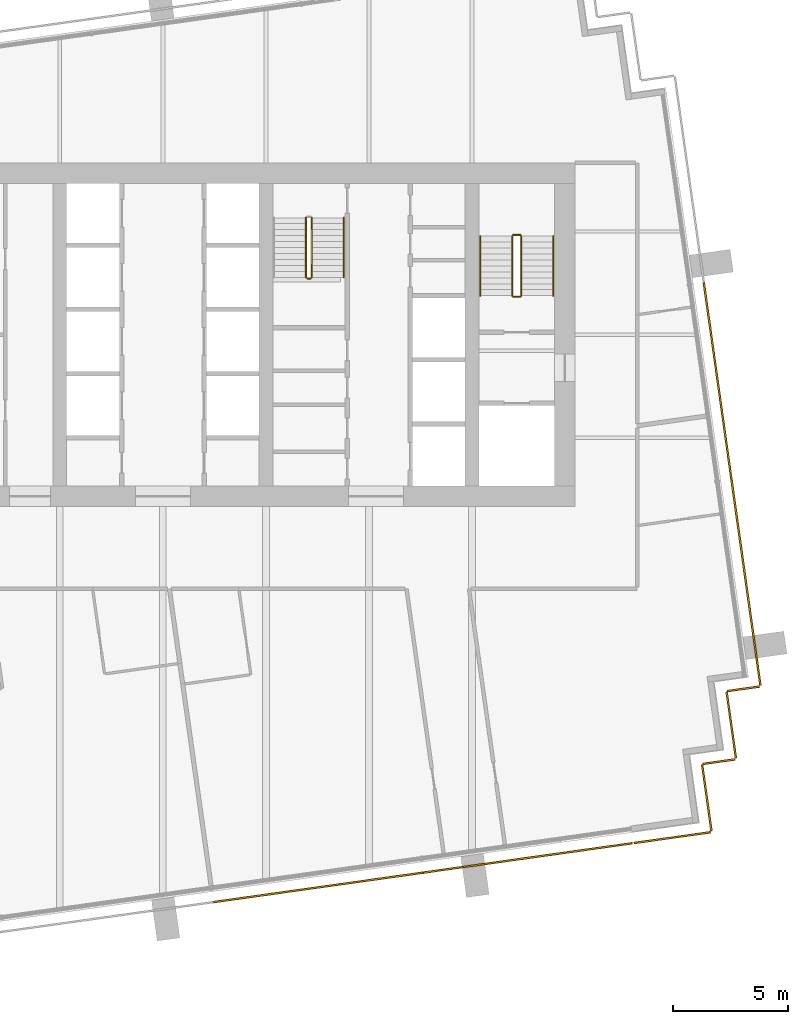
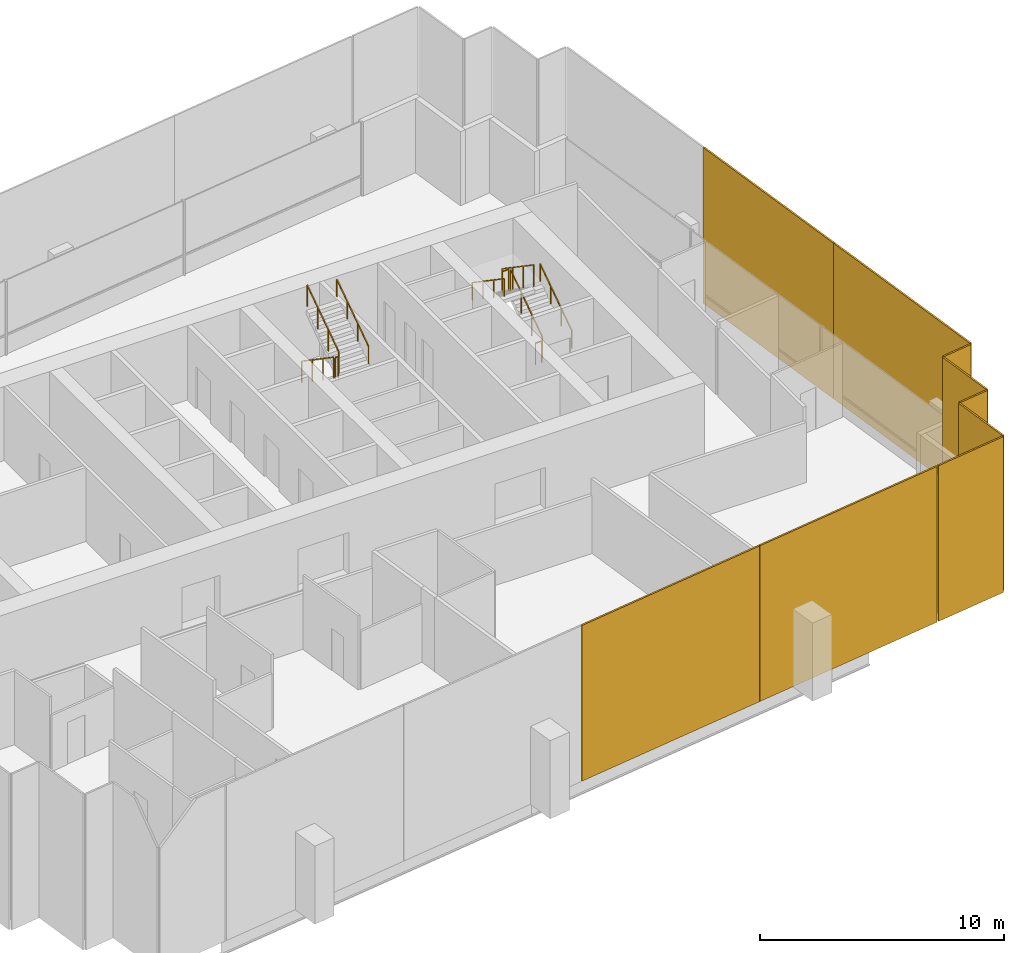
# One storey, part 13 of 15: 10 railings, 9 coverings.
"""IFC4 building model written with IfcOpenShell, lengths in metres."""

from ifc_helpers import new_model, si_unit, direction, frame, origin, origin_2d, place, context, subcontext, project, spatial, rectangle, extrude, material, layer, layer_set, type_object, element, save


model = new_model("IFC4")

# Units and contexts
model_context = context("Model", 3, precision=1e-05, world=origin(), true_north=direction((0.0, 1.0)))
body_context = subcontext(model_context, "Body", "Model", "MODEL_VIEW")
ifc_project = project(units=[si_unit("LENGTHUNIT", "METRE"), si_unit("AREAUNIT", "SQUARE_METRE"), si_unit("VOLUMEUNIT", "CUBIC_METRE"), si_unit("PLANEANGLEUNIT", "RADIAN"), si_unit("MASSUNIT", "GRAM", prefix="KILO")], contexts=[model_context])

# Site, building, storey
site_placement = place(None, origin())
site = spatial("IfcSite", under=ifc_project, at=site_placement, CompositionType="ELEMENT")
building_placement = place(site_placement, origin())
building = spatial("IfcBuilding", under=site, at=building_placement, Name="Rattan Terrace Tower", CompositionType="ELEMENT")
storey_placement = place(building_placement, frame((0.0, 0.0, 266.800048828125)))
storey = spatial("IfcBuildingStorey", under=building, at=storey_placement, Name="L61", CompositionType="ELEMENT", Elevation=266.800048828125)

# Railings
ifc_material_1 = material(Name="Powder-coated steel guard", Category="steel")
railing_type_1 = type_object("IfcRailingType", Name="Core stair guard", PredefinedType="GUARDRAIL", material=ifc_material_1)
railing_1_placement = place(storey_placement, frame((15.64990234375, 1.699951171875, 0.17724609375)))
element("IfcRailing", 1, at=railing_1_placement, inside=storey, type_object=railing_type_1, Name="L61 S2 stair guard 1", PredefinedType="GUARDRAIL", context=body_context, shape_type="SweptSolid", body=[
    extrude(rectangle(XDim=0.048095703125, YDim=0.048095703125, at=origin_2d()), frame((0.0, 0.0, 1.076171875), z_axis=(0.0, 0.826240473404, 0.563317565952), x_axis=(-1.0, 0.0, 0.0)), (0.0, 0.0, 1.0), 3.14697265625),
    extrude(rectangle(XDim=0.0419921875, YDim=0.0419921875, at=origin_2d()), origin(), (0.0, 0.0, 1.0), 1.052001953125),
    extrude(rectangle(XDim=0.0419921875, YDim=0.0419921875, at=origin_2d()), frame((0.0, 0.86669921875, 0.5908203125)), (0.0, 0.0, 1.0), 1.052001953125),
    extrude(rectangle(XDim=0.0419921875, YDim=0.0419921875, at=origin_2d()), frame((0.0, 1.7333984375, 1.181884765625)), (0.0, 0.0, 1.0), 1.052001953125),
    extrude(rectangle(XDim=0.0419921875, YDim=0.0419921875, at=origin_2d()), frame((0.0, 2.60009765625, 1.772705078125)), (0.0, 0.0, 1.0), 1.052001953125),
])
railing_2_placement = place(storey_placement, frame((15.60009765625, 4.35009765625, 1.949951171875)))
element("IfcRailing", 2, at=railing_2_placement, inside=storey, type_object=railing_type_1, Name="L61 S2 stair guard 2", PredefinedType="GUARDRAIL", context=body_context, shape_type="SweptSolid", body=[
    extrude(rectangle(XDim=0.048095703125, YDim=0.048095703125, at=origin_2d()), frame((0.0, 0.0, 1.076171875), z_axis=(-1.0, 0.0, 0.0), x_axis=(0.0, -1.0, 0.0)), (0.0, 0.0, 1.0), 0.300048828125),
    extrude(rectangle(XDim=0.0419921875, YDim=0.0419921875, at=origin_2d()), origin(), (0.0, 0.0, 1.0), 1.052001953125),
    extrude(rectangle(XDim=0.0419921875, YDim=0.0419921875, at=origin_2d()), frame((-0.300048828125, 0.0, 0.0)), (0.0, 0.0, 1.0), 1.052001953125),
])
railing_3_placement = place(storey_placement, frame((15.25, 4.300048828125, 2.127197265625)))
element("IfcRailing", 3, at=railing_3_placement, inside=storey, type_object=railing_type_1, Name="L61 S2 stair guard 3", PredefinedType="GUARDRAIL", context=body_context, shape_type="SweptSolid", body=[
    extrude(rectangle(XDim=0.048095703125, YDim=0.048095703125, at=origin_2d()), frame((0.0, 0.0, 1.076171875), z_axis=(0.0, -0.826240473404, 0.563317565952), x_axis=(1.0, 0.0, 0.0)), (0.0, 0.0, 1.0), 3.14697265625),
    extrude(rectangle(XDim=0.0419921875, YDim=0.0419921875, at=origin_2d()), origin(), (0.0, 0.0, 1.0), 1.052001953125),
    extrude(rectangle(XDim=0.0419921875, YDim=0.0419921875, at=origin_2d()), frame((0.0, -0.86669921875, 0.5908203125)), (0.0, 0.0, 1.0), 1.052001953125),
    extrude(rectangle(XDim=0.0419921875, YDim=0.0419921875, at=origin_2d()), frame((0.0, -1.7333984375, 1.181884765625)), (0.0, 0.0, 1.0), 1.052001953125),
    extrude(rectangle(XDim=0.0419921875, YDim=0.0419921875, at=origin_2d()), frame((0.0, -2.60009765625, 1.772705078125)), (0.0, 0.0, 1.0), 1.052001953125),
])
railing_4_placement = place(storey_placement, frame((15.60009765625, 1.64990234375, 0.0)))
element("IfcRailing", 4, at=railing_4_placement, inside=storey, type_object=railing_type_1, Name="L61 S2 stair guard 4", PredefinedType="GUARDRAIL", context=body_context, shape_type="SweptSolid", body=[
    extrude(rectangle(XDim=0.048095703125, YDim=0.048095703125, at=origin_2d()), frame((0.0, 0.0, 1.076171875), z_axis=(-1.0, 0.0, 0.0), x_axis=(0.0, -1.0, 0.0)), (0.0, 0.0, 1.0), 0.300048828125),
    extrude(rectangle(XDim=0.0419921875, YDim=0.0419921875, at=origin_2d()), origin(), (0.0, 0.0, 1.0), 1.052001953125),
    extrude(rectangle(XDim=0.0419921875, YDim=0.0419921875, at=origin_2d()), frame((-0.300048828125, 0.0, 0.0)), (0.0, 0.0, 1.0), 1.052001953125),
])
railing_5_placement = place(storey_placement, frame((6.25, 5.10009765625, 0.17724609375)))
element("IfcRailing", 5, at=railing_5_placement, inside=storey, type_object=railing_type_1, Name="L61 S3 stair guard 1", PredefinedType="GUARDRAIL", context=body_context, shape_type="SweptSolid", body=[
    extrude(rectangle(XDim=0.048095703125, YDim=0.048095703125, at=origin_2d()), frame((0.0, 0.0, 1.076171875), z_axis=(0.0, -0.826240473404, 0.563317565952), x_axis=(1.0, 0.0, 0.0)), (0.0, 0.0, 1.0), 3.14697265625),
    extrude(rectangle(XDim=0.0419921875, YDim=0.0419921875, at=origin_2d()), origin(), (0.0, 0.0, 1.0), 1.052001953125),
    extrude(rectangle(XDim=0.0419921875, YDim=0.0419921875, at=origin_2d()), frame((0.0, -0.86669921875, 0.5908203125)), (0.0, 0.0, 1.0), 1.052001953125),
    extrude(rectangle(XDim=0.0419921875, YDim=0.0419921875, at=origin_2d()), frame((0.0, -1.7333984375, 1.181884765625)), (0.0, 0.0, 1.0), 1.052001953125),
    extrude(rectangle(XDim=0.0419921875, YDim=0.0419921875, at=origin_2d()), frame((0.0, -2.60009765625, 1.772705078125)), (0.0, 0.0, 1.0), 1.052001953125),
])
railing_6_placement = place(storey_placement, frame((6.300048828125, 2.449951171875, 1.949951171875)))
element("IfcRailing", 6, at=railing_6_placement, inside=storey, type_object=railing_type_1, Name="L61 S3 stair guard 2", PredefinedType="GUARDRAIL", context=body_context, shape_type="SweptSolid", body=[
    extrude(rectangle(XDim=0.048095703125, YDim=0.048095703125, at=origin_2d()), frame((0.0, 0.0, 1.076171875), z_axis=(1.0, 0.0, 0.0), x_axis=(0.0, 1.0, 0.0)), (0.0, 0.0, 1.0), 0.14990234375),
    extrude(rectangle(XDim=0.0419921875, YDim=0.0419921875, at=origin_2d()), origin(), (0.0, 0.0, 1.0), 1.052001953125),
    extrude(rectangle(XDim=0.0419921875, YDim=0.0419921875, at=origin_2d()), frame((0.14990234375, 0.0, 0.0)), (0.0, 0.0, 1.0), 1.052001953125),
])
railing_7_placement = place(storey_placement, frame((6.5, 2.5, 2.127197265625)))
element("IfcRailing", 7, at=railing_7_placement, inside=storey, type_object=railing_type_1, Name="L61 S3 stair guard 3", PredefinedType="GUARDRAIL", context=body_context, shape_type="SweptSolid", body=[
    extrude(rectangle(XDim=0.048095703125, YDim=0.048095703125, at=origin_2d()), frame((0.0, 0.0, 1.076171875), z_axis=(0.0, 0.826240473404, 0.563317565952), x_axis=(-1.0, 0.0, 0.0)), (0.0, 0.0, 1.0), 3.14697265625),
    extrude(rectangle(XDim=0.0419921875, YDim=0.0419921875, at=origin_2d()), origin(), (0.0, 0.0, 1.0), 1.052001953125),
    extrude(rectangle(XDim=0.0419921875, YDim=0.0419921875, at=origin_2d()), frame((0.0, 0.86669921875, 0.5908203125)), (0.0, 0.0, 1.0), 1.052001953125),
    extrude(rectangle(XDim=0.0419921875, YDim=0.0419921875, at=origin_2d()), frame((0.0, 1.7333984375, 1.181884765625)), (0.0, 0.0, 1.0), 1.052001953125),
    extrude(rectangle(XDim=0.0419921875, YDim=0.0419921875, at=origin_2d()), frame((0.0, 2.60009765625, 1.772705078125)), (0.0, 0.0, 1.0), 1.052001953125),
])
ifc_material_2 = material(Name="Powder-coated steel handrail", Category="steel")
railing_type_2 = type_object("IfcRailingType", Name="Core stair handrail", PredefinedType="HANDRAIL", material=ifc_material_2)
railing_8_placement = place(storey_placement, frame((17.050048828125, 1.699951171875, 0.17724609375)))
element("IfcRailing", 8, at=railing_8_placement, inside=storey, type_object=railing_type_2, Name="L61 S2 stair handrail 1", PredefinedType="HANDRAIL", context=body_context, shape_type="SweptSolid", body=[
    extrude(rectangle(XDim=0.048095703125, YDim=0.048095703125, at=origin_2d()), frame((0.0, 0.0, 0.8759765625), z_axis=(0.0, 0.826240473404, 0.563317565952), x_axis=(-1.0, 0.0, 0.0)), (0.0, 0.0, 1.0), 3.14697265625),
    extrude(rectangle(XDim=0.0419921875, YDim=0.0419921875, at=origin_2d()), origin(), (0.0, 0.0, 1.0), 0.851806640625),
    extrude(rectangle(XDim=0.0419921875, YDim=0.0419921875, at=origin_2d()), frame((0.0, 0.86669921875, 0.5908203125)), (0.0, 0.0, 1.0), 0.851806640625),
    extrude(rectangle(XDim=0.0419921875, YDim=0.0419921875, at=origin_2d()), frame((0.0, 1.7333984375, 1.181884765625)), (0.0, 0.0, 1.0), 0.851806640625),
    extrude(rectangle(XDim=0.0419921875, YDim=0.0419921875, at=origin_2d()), frame((0.0, 2.60009765625, 1.772705078125)), (0.0, 0.0, 1.0), 0.851806640625),
])
railing_9_placement = place(storey_placement, frame((13.85009765625, 4.300048828125, 2.127197265625)))
element("IfcRailing", 9, at=railing_9_placement, inside=storey, type_object=railing_type_2, Name="L61 S2 stair handrail 2", PredefinedType="HANDRAIL", context=body_context, shape_type="SweptSolid", body=[
    extrude(rectangle(XDim=0.048095703125, YDim=0.048095703125, at=origin_2d()), frame((0.0, 0.0, 0.8759765625), z_axis=(0.0, -0.826240473404, 0.563317565952), x_axis=(1.0, 0.0, 0.0)), (0.0, 0.0, 1.0), 3.14697265625),
    extrude(rectangle(XDim=0.0419921875, YDim=0.0419921875, at=origin_2d()), origin(), (0.0, 0.0, 1.0), 0.851806640625),
    extrude(rectangle(XDim=0.0419921875, YDim=0.0419921875, at=origin_2d()), frame((0.0, -0.86669921875, 0.5908203125)), (0.0, 0.0, 1.0), 0.851806640625),
    extrude(rectangle(XDim=0.0419921875, YDim=0.0419921875, at=origin_2d()), frame((0.0, -1.7333984375, 1.181884765625)), (0.0, 0.0, 1.0), 0.851806640625),
    extrude(rectangle(XDim=0.0419921875, YDim=0.0419921875, at=origin_2d()), frame((0.0, -2.60009765625, 1.772705078125)), (0.0, 0.0, 1.0), 0.851806640625),
])
railing_10_placement = place(storey_placement, frame((7.89990234375, 2.5, 2.127197265625)))
element("IfcRailing", 10, at=railing_10_placement, inside=storey, type_object=railing_type_2, Name="L61 S3 stair handrail 2", PredefinedType="HANDRAIL", context=body_context, shape_type="SweptSolid", body=[
    extrude(rectangle(XDim=0.048095703125, YDim=0.048095703125, at=origin_2d()), frame((0.0, 0.0, 0.8759765625), z_axis=(0.0, 0.826240473404, 0.563317565952), x_axis=(-1.0, 0.0, 0.0)), (0.0, 0.0, 1.0), 3.14697265625),
    extrude(rectangle(XDim=0.0419921875, YDim=0.0419921875, at=origin_2d()), origin(), (0.0, 0.0, 1.0), 0.851806640625),
    extrude(rectangle(XDim=0.0419921875, YDim=0.0419921875, at=origin_2d()), frame((0.0, 0.86669921875, 0.5908203125)), (0.0, 0.0, 1.0), 0.851806640625),
    extrude(rectangle(XDim=0.0419921875, YDim=0.0419921875, at=origin_2d()), frame((0.0, 1.7333984375, 1.181884765625)), (0.0, 0.0, 1.0), 0.851806640625),
    extrude(rectangle(XDim=0.0419921875, YDim=0.0419921875, at=origin_2d()), frame((0.0, 2.60009765625, 1.772705078125)), (0.0, 0.0, 1.0), 0.851806640625),
])

# Coverings
ifc_material_3 = material(Name="Perforated terracotta", Category="masonry")
ifc_layer = layer(ifc_material_3, 0.080078125)
ifc_layer_set = layer_set([ifc_layer], Name="Facade Terracotta Screen Panel HZ")
covering_type = type_object("IfcCoveringType", Name="Facade Terracotta Screen Panel HZ", PredefinedType="CLADDING", material=ifc_layer_set)
covering_1_placement = place(storey_placement, frame((22.236328125, -21.955810546875, -0.18994140625), z_axis=(0.0, 0.0, 1.0), x_axis=(0.990293172258, 0.138994363123, 0.0)))
element("IfcCovering", 11, at=covering_1_placement, inside=storey, type_object=covering_type, Name="OUTER SKIN panel L61-1", PredefinedType="CLADDING", context=body_context, shape_type="SweptSolid", body=[
    extrude(rectangle(XDim=3.3701171875, YDim=0.080078125, at=origin_2d()), origin(), (0.0, 0.0, 1.0), 7.780029296875),
])
covering_2_placement = place(storey_placement, frame((23.74462890625, -20.218994140625, -0.18994140625), z_axis=(0.0, 0.0, 1.0), x_axis=(-0.138994363123, 0.990293172258, 0.0)))
element("IfcCovering", 12, at=covering_2_placement, inside=storey, type_object=covering_type, Name="OUTER SKIN panel L61-2", PredefinedType="CLADDING", context=body_context, shape_type="SweptSolid", body=[
    extrude(rectangle(XDim=2.92041015625, YDim=0.080078125, at=origin_2d()), origin(), (0.0, 0.0, 1.0), 7.780029296875),
])
covering_3_placement = place(storey_placement, frame((24.27001953125, -18.640380859375, -0.18994140625), z_axis=(0.0, 0.0, 1.0), x_axis=(0.990240767803, 0.139367219175, 0.0)))
element("IfcCovering", 13, at=covering_3_placement, inside=storey, type_object=covering_type, Name="OUTER SKIN panel L61-3", PredefinedType="CLADDING", context=body_context, shape_type="SweptSolid", body=[
    extrude(rectangle(XDim=1.419921875, YDim=0.080078125, at=origin_2d()), origin(), (0.0, 0.0, 1.0), 7.780029296875),
])
covering_4_placement = place(storey_placement, frame((24.812255859375, -17.03955078125, -0.18994140625), z_axis=(0.0, 0.0, 1.0), x_axis=(-0.139367219175, 0.990240767803, 0.0)))
element("IfcCovering", 14, at=covering_4_placement, inside=storey, type_object=covering_type, Name="OUTER SKIN panel L61-4", PredefinedType="CLADDING", context=body_context, shape_type="SweptSolid", body=[
    extrude(rectangle(XDim=2.919189453125, YDim=0.080078125, at=origin_2d()), origin(), (0.0, 0.0, 1.0), 7.780029296875),
])
covering_5_placement = place(storey_placement, frame((25.337646484375, -15.46142578125, -0.18994140625), z_axis=(0.0, 0.0, 1.0), x_axis=(0.99025370695, 0.139275252184, 0.0)))
element("IfcCovering", 15, at=covering_5_placement, inside=storey, type_object=covering_type, Name="OUTER SKIN panel L61-5", PredefinedType="CLADDING", context=body_context, shape_type="SweptSolid", body=[
    extrude(rectangle(XDim=1.420654296875, YDim=0.080078125, at=origin_2d()), origin(), (0.0, 0.0, 1.0), 7.780029296875),
])
covering_6_placement = place(storey_placement, frame((25.45263671875, -10.816650390625, -0.18994140625), z_axis=(0.0, 0.0, 1.0), x_axis=(-0.139191775431, 0.990265444036, 0.0)))
element("IfcCovering", 16, at=covering_6_placement, inside=storey, type_object=covering_type, Name="OUTER SKIN panel L61-6", PredefinedType="CLADDING", context=body_context, shape_type="SweptSolid", body=[
    extrude(rectangle(XDim=9.06689453125, YDim=0.080078125, at=origin_2d()), origin(), (0.0, 0.0, 1.0), 7.780029296875),
])
covering_7_placement = place(storey_placement, frame((24.217041015625, -2.026123046875, -0.18994140625), z_axis=(0.0, 0.0, 1.0), x_axis=(-0.139191775431, 0.990265444036, 0.0)))
element("IfcCovering", 17, at=covering_7_placement, inside=storey, type_object=covering_type, Name="OUTER SKIN panel L61-7", PredefinedType="CLADDING", context=body_context, shape_type="SweptSolid", body=[
    extrude(rectangle(XDim=8.64697265625, YDim=0.080078125, at=origin_2d()), origin(), (0.0, 0.0, 1.0), 7.780029296875),
])
covering_8_placement = place(storey_placement, frame((6.785400390625, -24.127197265625, -0.18994140625), z_axis=(0.0, 0.0, 1.0), x_axis=(0.990265894013, 0.139188574079, 0.0)))
element("IfcCovering", 18, at=covering_8_placement, inside=storey, type_object=covering_type, Name="OUTER SKIN panel L61-33", PredefinedType="CLADDING", context=body_context, shape_type="SweptSolid", body=[
    extrude(rectangle(XDim=9.22900390625, YDim=0.080078125, at=origin_2d()), origin(), (0.0, 0.0, 1.0), 7.780029296875),
])
covering_9_placement = place(storey_placement, frame((15.931640625, -22.841552734375, -0.18994140625), z_axis=(0.0, 0.0, 1.0), x_axis=(0.990265894013, 0.139188574079, 0.0)))
element("IfcCovering", 19, at=covering_9_placement, inside=storey, type_object=covering_type, Name="OUTER SKIN panel L61-34", PredefinedType="CLADDING", context=body_context, shape_type="SweptSolid", body=[
    extrude(rectangle(XDim=9.203125, YDim=0.080078125, at=origin_2d()), origin(), (0.0, 0.0, 1.0), 7.780029296875),
])

save(model, "model.ifc")
